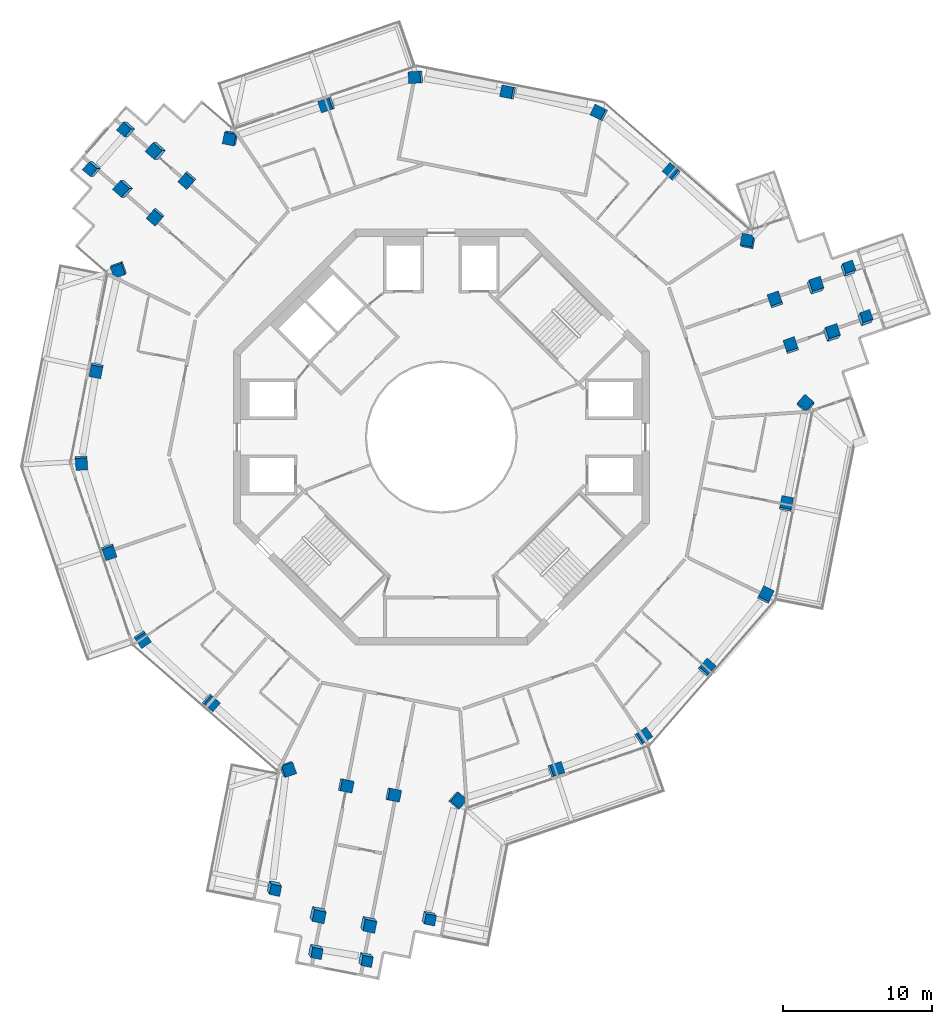
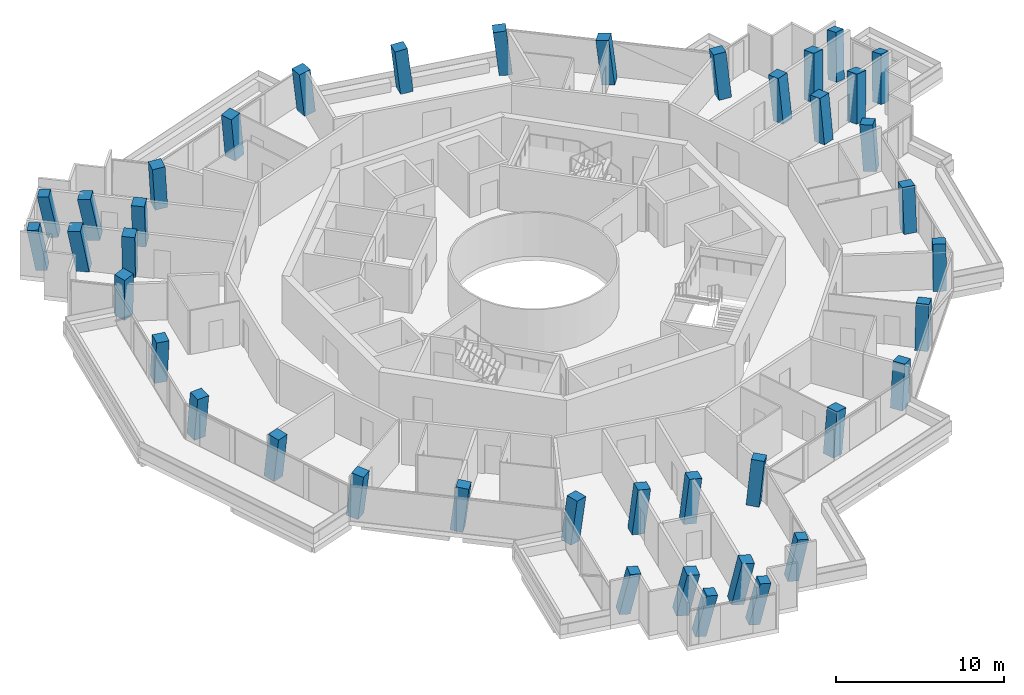
# One storey, part 1 of 22: 41 columns.
"""IFC4 building model written with IfcOpenShell, lengths in metres."""

from ifc_helpers import new_model, si_unit, direction, frame, origin, origin_2d, place, context, subcontext, project, spatial, rectangle, extrude, material, material_profile, profile_set, type_object, element, save


model = new_model("IFC4")

# Units and contexts
model_context = context("Model", 3, precision=1e-05, world=origin(), true_north=direction((0.0, 1.0)))
body_context = subcontext(model_context, "Body", "Model", "MODEL_VIEW")
ifc_project = project(units=[si_unit("LENGTHUNIT", "METRE"), si_unit("AREAUNIT", "SQUARE_METRE"), si_unit("VOLUMEUNIT", "CUBIC_METRE"), si_unit("PLANEANGLEUNIT", "RADIAN"), si_unit("MASSUNIT", "GRAM", prefix="KILO")], contexts=[model_context])

# Site, building, storey
site_placement = place(None, origin())
site = spatial("IfcSite", under=ifc_project, at=site_placement, CompositionType="ELEMENT")
building_placement = place(site_placement, origin())
building = spatial("IfcBuilding", under=site, at=building_placement, Name="Verdalira Terraces Hotel", CompositionType="ELEMENT")
storey_placement = place(building_placement, frame((0.0, 0.0, 234.0)))
storey = spatial("IfcBuildingStorey", under=building, at=storey_placement, Name="L57", CompositionType="ELEMENT", Elevation=234.0)

# Columns
ifc_material_1 = material(Name="Concrete C50", Category="concrete")
ifc_material_profile_1 = material_profile(ifc_material_1, rectangle(XDim=0.699951, YDim=0.699951, at=origin_2d()), Name="RC 700X700")
ifc_profile_set_1 = profile_set([ifc_material_profile_1], Name="Concrete C50")
column_type_1 = type_object("IfcColumnType", Name="Column RC 700X700 C50", PredefinedType="COLUMN", material=ifc_profile_set_1)
for number, where, z_axis, x_axis, name in (
    (1, (-11.303955, -30.260254, 0.0), (0.11572447, -0.196575113, 0.973635492), (-0.214235789, -0.962089509, -0.168780342), "Column C08"),
    (2, (-8.530273, -34.530518, 0.0), (0.135473013, -0.183462353, 0.973647076), (0.972572289, -0.162911918, -0.166020631), "Column C09"),
):
    element("IfcColumn", number, at=place(storey_placement, frame(where, z_axis=z_axis, x_axis=x_axis)), inside=storey, type_object=column_type_1, Name=name, PredefinedType="COLUMN", context=body_context, shape_type="SweptSolid", body=[
        extrude(rectangle(XDim=0.699951, YDim=0.699951, at=origin_2d()), origin(), (0.0, 0.0, 1.0), 3.276367),
    ])
column_1_placement = place(storey_placement, frame((-5.154297, -35.087158, 0.0), z_axis=(0.138267779, -0.168147364, 0.976016642), x_axis=(0.972071067, -0.165649726, -0.16624683)))
element("IfcColumn", 3, at=column_1_placement, inside=storey, type_object=column_type_1, Name="Column C10", PredefinedType="COLUMN", context=body_context, shape_type="SweptSolid", body=[
    extrude(rectangle(XDim=0.699951, YDim=0.699951, at=origin_2d()), origin(), (0.0, 0.0, 1.0), 3.268311),
])
column_2_placement = place(storey_placement, frame((-0.884277, -32.313721, 0.0), z_axis=(0.125809108, -0.149004223, 0.980800596), x_axis=(0.208171474, 0.970609724, 0.120753476)))
element("IfcColumn", 4, at=column_2_placement, inside=storey, type_object=column_type_1, Name="Column C11", PredefinedType="COLUMN", context=body_context, shape_type="SweptSolid", body=[
    extrude(rectangle(XDim=0.699951, YDim=0.699951, at=origin_2d()), origin(), (0.0, 0.0, 1.0), 3.252441),
])
column_3_placement = place(storey_placement, frame((28.494873, 7.928467, 0.0), z_axis=(0.100955278, 0.183500624, 0.977821841), x_axis=(-0.342371197, 0.92922122, -0.139031967)))
element("IfcColumn", 5, at=column_3_placement, inside=storey, type_object=column_type_1, Name="Column C19", PredefinedType="COLUMN", context=body_context, shape_type="SweptSolid", body=[
    extrude(rectangle(XDim=0.699951, YDim=0.699951, at=origin_2d()), origin(), (0.0, 0.0, 1.0), 3.262207),
])
column_4_placement = place(storey_placement, frame((27.351318, 11.257324, 0.0), z_axis=(0.085523619, 0.17847429, 0.980220709), x_axis=(-0.340681391, 0.929762549, -0.139562859)))
element("IfcColumn", 6, at=column_4_placement, inside=storey, type_object=column_type_1, Name="Column C20", PredefinedType="COLUMN", context=body_context, shape_type="SweptSolid", body=[
    extrude(rectangle(XDim=0.699951, YDim=0.699951, at=origin_2d()), origin(), (0.0, 0.0, 1.0), 3.254395),
])
column_5_placement = place(storey_placement, frame((-21.113525, 20.713135, 0.0), z_axis=(-0.209394231, -0.004340552, 0.977821669), x_axis=(-0.633470555, -0.761173449, -0.139032502)))
element("IfcColumn", 7, at=column_5_placement, inside=storey, type_object=column_type_1, Name="Column C28", PredefinedType="COLUMN", context=body_context, shape_type="SweptSolid", body=[
    extrude(rectangle(XDim=0.699951, YDim=0.699951, at=origin_2d()), origin(), (0.0, 0.0, 1.0), 3.262207),
])
column_6_placement = place(storey_placement, frame((-23.424805, 18.058105, 0.0), z_axis=(-0.197305567, -0.015079247, 0.98022606), x_axis=(-0.635208549, -0.75962986, -0.139544167)))
element("IfcColumn", 8, at=column_6_placement, inside=storey, type_object=column_type_1, Name="Column C29", PredefinedType="COLUMN", context=body_context, shape_type="SweptSolid", body=[
    extrude(rectangle(XDim=0.699951, YDim=0.699951, at=origin_2d()), origin(), (0.0, 0.0, 1.0), 3.254395),
])
ifc_material_2 = material(Name="Concrete C50", Category="concrete")
ifc_material_profile_2 = material_profile(ifc_material_2, rectangle(XDim=0.800049, YDim=0.800049, at=origin_2d()), Name="RC 800X800")
ifc_profile_set_2 = profile_set([ifc_material_profile_2], Name="Concrete C50")
column_type_2 = type_object("IfcColumnType", Name="Column RC 800X800 C50", PredefinedType="COLUMN", material=ifc_profile_set_2)
column_7_placement = place(storey_placement, frame((-21.712891, 11.317627, 0.0), z_axis=(-0.052905921, -0.103683443, 0.993202249), x_axis=(-0.330545328, 0.940345776, 0.080558097)))
element("IfcColumn", 9, at=column_7_placement, inside=storey, type_object=column_type_2, Name="Column C01", PredefinedType="COLUMN", context=body_context, shape_type="SweptSolid", body=[
    extrude(rectangle(XDim=0.800049, YDim=0.800049, at=origin_2d()), origin(), (0.0, 0.0, 1.0), 3.21167),
])
column_8_placement = place(storey_placement, frame((-23.220459, 4.530518, 0.0), z_axis=(-0.020609061, -0.110650124, 0.99364572), x_axis=(-0.190224415, -0.975267855, -0.112549024)))
element("IfcColumn", 10, at=column_8_placement, inside=storey, type_object=column_type_2, Name="Column C02", PredefinedType="COLUMN", context=body_context, shape_type="SweptSolid", body=[
    extrude(rectangle(XDim=0.800049, YDim=0.800049, at=origin_2d()), origin(), (0.0, 0.0, 1.0), 3.210449),
])
column_9_placement = place(storey_placement, frame((-24.227783, -1.677246, 0.0), z_axis=(0.008894671, -0.11509856, 0.993314254), x_axis=(-0.068122893, 0.990975997, 0.115437627)))
element("IfcColumn", 11, at=column_9_placement, inside=storey, type_object=column_type_2, Name="Column C03", PredefinedType="COLUMN", context=body_context, shape_type="SweptSolid", body=[
    extrude(rectangle(XDim=0.800049, YDim=0.800049, at=origin_2d()), origin(), (0.0, 0.0, 1.0), 3.211426),
])
column_10_placement = place(storey_placement, frame((-22.374756, -7.686768, 0.0), z_axis=(0.037491609, -0.106162851, 0.9936417), x_axis=(0.322917335, -0.939706935, -0.112584504)))
element("IfcColumn", 12, at=column_10_placement, inside=storey, type_object=column_type_2, Name="Column C04", PredefinedType="COLUMN", context=body_context, shape_type="SweptSolid", body=[
    extrude(rectangle(XDim=0.800049, YDim=0.800049, at=origin_2d()), origin(), (0.0, 0.0, 1.0), 3.210449),
])
column_11_placement = place(storey_placement, frame((-20.143311, -13.566406, 0.0), z_axis=(0.06530323, -0.09525605, 0.993308498), x_axis=(-0.55467947, 0.824010563, 0.115487135)))
element("IfcColumn", 13, at=column_11_placement, inside=storey, type_object=column_type_2, Name="Column C05", PredefinedType="COLUMN", context=body_context, shape_type="SweptSolid", body=[
    extrude(rectangle(XDim=0.800049, YDim=0.800049, at=origin_2d()), origin(), (0.0, 0.0, 1.0), 3.211426),
])
column_12_placement = place(storey_placement, frame((-15.533691, -17.844238, 0.0), z_axis=(0.085478103, -0.073234353, 0.993644918), x_axis=(0.749060992, -0.652869631, -0.112556101)))
element("IfcColumn", 14, at=column_12_placement, inside=storey, type_object=column_type_2, Name="Column C06", PredefinedType="COLUMN", context=body_context, shape_type="SweptSolid", body=[
    extrude(rectangle(XDim=0.800049, YDim=0.800049, at=origin_2d()), origin(), (0.0, 0.0, 1.0), 3.210449),
])
column_13_placement = place(storey_placement, frame((-10.369873, -22.3396, 0.0), z_axis=(0.106638983, -0.048416987, 0.993118282), x_axis=(-0.317375559, 0.944907097, 0.080145701)))
element("IfcColumn", 15, at=column_13_placement, inside=storey, type_object=column_type_2, Name="Column C07", PredefinedType="COLUMN", context=body_context, shape_type="SweptSolid", body=[
    extrude(rectangle(XDim=0.800049, YDim=0.800049, at=origin_2d()), origin(), (0.0, 0.0, 1.0), 3.212158),
])
column_14_placement = place(storey_placement, frame((1.054932, -24.462646, 0.0), z_axis=(0.116301113, 0.005929076, 0.993196303), x_axis=(-0.649719831, -0.755889462, 0.080593198)))
element("IfcColumn", 16, at=column_14_placement, inside=storey, type_object=column_type_2, Name="Column C12", PredefinedType="COLUMN", context=body_context, shape_type="SweptSolid", body=[
    extrude(rectangle(XDim=0.800049, YDim=0.800049, at=origin_2d()), origin(), (0.0, 0.0, 1.0), 3.211914),
])
column_15_placement = place(storey_placement, frame((7.686768, -22.374756, 0.0), z_axis=(0.106162851, 0.037491609, 0.9936417), x_axis=(0.939706935, 0.322917335, -0.112584504)))
element("IfcColumn", 17, at=column_15_placement, inside=storey, type_object=column_type_2, Name="Column C13", PredefinedType="COLUMN", context=body_context, shape_type="SweptSolid", body=[
    extrude(rectangle(XDim=0.800049, YDim=0.800049, at=origin_2d()), origin(), (0.0, 0.0, 1.0), 3.210449),
])
column_16_placement = place(storey_placement, frame((13.566406, -20.143311, 0.0), z_axis=(0.09525605, 0.06530323, 0.993308498), x_axis=(-0.824010563, -0.55467947, 0.115487135)))
element("IfcColumn", 18, at=column_16_placement, inside=storey, type_object=column_type_2, Name="Column C14", PredefinedType="COLUMN", context=body_context, shape_type="SweptSolid", body=[
    extrude(rectangle(XDim=0.800049, YDim=0.800049, at=origin_2d()), origin(), (0.0, 0.0, 1.0), 3.211426),
])
column_17_placement = place(storey_placement, frame((17.844238, -15.533691, 0.0), z_axis=(0.073234353, 0.085478103, 0.993644918), x_axis=(0.652869631, 0.749060992, -0.112556101)))
element("IfcColumn", 19, at=column_17_placement, inside=storey, type_object=column_type_2, Name="Column C15", PredefinedType="COLUMN", context=body_context, shape_type="SweptSolid", body=[
    extrude(rectangle(XDim=0.800049, YDim=0.800049, at=origin_2d()), origin(), (0.0, 0.0, 1.0), 3.210449),
])
column_18_placement = place(storey_placement, frame((21.820557, -10.661621, 0.0), z_axis=(0.049870385, 0.104226063, 0.993302508), x_axis=(-0.436319792, -0.892342905, 0.115538643)))
element("IfcColumn", 20, at=column_18_placement, inside=storey, type_object=column_type_2, Name="Column C16", PredefinedType="COLUMN", context=body_context, shape_type="SweptSolid", body=[
    extrude(rectangle(XDim=0.800049, YDim=0.800049, at=origin_2d()), origin(), (0.0, 0.0, 1.0), 3.211426),
])
column_19_placement = place(storey_placement, frame((23.220459, -4.530518, 0.0), z_axis=(0.020609061, 0.110650124, 0.99364572), x_axis=(0.190224415, 0.975267855, -0.112549024)))
element("IfcColumn", 21, at=column_19_placement, inside=storey, type_object=column_type_2, Name="Column C17", PredefinedType="COLUMN", context=body_context, shape_type="SweptSolid", body=[
    extrude(rectangle(XDim=0.800049, YDim=0.800049, at=origin_2d()), origin(), (0.0, 0.0, 1.0), 3.210449),
])
column_20_placement = place(storey_placement, frame((24.531494, 2.189209, 0.0), z_axis=(-0.011325128, 0.116595611, 0.9931149), x_axis=(-0.660054124, -0.746928427, 0.080165325)))
element("IfcColumn", 22, at=column_20_placement, inside=storey, type_object=column_type_2, Name="Column C18", PredefinedType="COLUMN", context=body_context, shape_type="SweptSolid", body=[
    extrude(rectangle(XDim=0.800049, YDim=0.800049, at=origin_2d()), origin(), (0.0, 0.0, 1.0), 3.212158),
])
column_21_placement = place(storey_placement, frame((20.657715, 13.14502, 0.0), z_axis=(-0.063244127, 0.09767873, 0.993206447), x_axis=(0.979494309, -0.184676163, 0.080533303)))
element("IfcColumn", 23, at=column_21_placement, inside=storey, type_object=column_type_2, Name="Column C21", PredefinedType="COLUMN", context=body_context, shape_type="SweptSolid", body=[
    extrude(rectangle(XDim=0.800049, YDim=0.800049, at=origin_2d()), origin(), (0.0, 0.0, 1.0), 3.21167),
])
column_22_placement = place(storey_placement, frame((15.533691, 17.844238, 0.0), z_axis=(-0.085478103, 0.073234353, 0.993644918), x_axis=(-0.749060992, 0.652869631, -0.112556101)))
element("IfcColumn", 24, at=column_22_placement, inside=storey, type_object=column_type_2, Name="Column C22", PredefinedType="COLUMN", context=body_context, shape_type="SweptSolid", body=[
    extrude(rectangle(XDim=0.800049, YDim=0.800049, at=origin_2d()), origin(), (0.0, 0.0, 1.0), 3.210449),
])
column_23_placement = place(storey_placement, frame((10.661621, 21.820557, 0.0), z_axis=(-0.104226063, 0.049870385, 0.993302508), x_axis=(0.892342905, -0.436319792, 0.115538643)))
element("IfcColumn", 25, at=column_23_placement, inside=storey, type_object=column_type_2, Name="Column C23", PredefinedType="COLUMN", context=body_context, shape_type="SweptSolid", body=[
    extrude(rectangle(XDim=0.800049, YDim=0.800049, at=origin_2d()), origin(), (0.0, 0.0, 1.0), 3.211426),
])
column_24_placement = place(storey_placement, frame((4.530518, 23.220459, 0.0), z_axis=(-0.110650124, 0.020609061, 0.99364572), x_axis=(-0.975267855, 0.190224415, -0.112549024)))
element("IfcColumn", 26, at=column_24_placement, inside=storey, type_object=column_type_2, Name="Column C24", PredefinedType="COLUMN", context=body_context, shape_type="SweptSolid", body=[
    extrude(rectangle(XDim=0.800049, YDim=0.800049, at=origin_2d()), origin(), (0.0, 0.0, 1.0), 3.210449),
])
column_25_placement = place(storey_placement, frame((-1.677246, 24.227783, 0.0), z_axis=(-0.11509856, -0.008894671, 0.993314254), x_axis=(0.990975997, 0.068122893, 0.115437627)))
element("IfcColumn", 27, at=column_25_placement, inside=storey, type_object=column_type_2, Name="Column C25", PredefinedType="COLUMN", context=body_context, shape_type="SweptSolid", body=[
    extrude(rectangle(XDim=0.800049, YDim=0.800049, at=origin_2d()), origin(), (0.0, 0.0, 1.0), 3.211426),
])
column_26_placement = place(storey_placement, frame((-7.686768, 22.374756, 0.0), z_axis=(-0.106162851, -0.037491609, 0.9936417), x_axis=(-0.939706935, -0.322917335, -0.112584504)))
element("IfcColumn", 28, at=column_26_placement, inside=storey, type_object=column_type_2, Name="Column C26", PredefinedType="COLUMN", context=body_context, shape_type="SweptSolid", body=[
    extrude(rectangle(XDim=0.800049, YDim=0.800049, at=origin_2d()), origin(), (0.0, 0.0, 1.0), 3.210449),
])
column_27_placement = place(storey_placement, frame((-14.161621, 20.150391, 0.0), z_axis=(-0.095237688, -0.068178935, 0.99311702), x_axis=(0.977061019, -0.197299919, 0.080153025)))
element("IfcColumn", 29, at=column_27_placement, inside=storey, type_object=column_type_2, Name="Column C27", PredefinedType="COLUMN", context=body_context, shape_type="SweptSolid", body=[
    extrude(rectangle(XDim=0.800049, YDim=0.800049, at=origin_2d()), origin(), (0.0, 0.0, 1.0), 3.212158),
])
for number, where, z_axis, x_axis, name in (
    (30, (-17.077881, 17.327881, 0.0), (-0.081722255, -0.081874297, 0.993286501), (-0.75351111, 0.657388809, -0.007807799), "Column C30"),
    (31, (-19.216064, 14.871582, 0.0), (-0.069940557, -0.091911014, 0.99330795), (-0.754661752, 0.656070382, 0.007569285), "Column C31"),
):
    element("IfcColumn", number, at=place(storey_placement, frame(where, z_axis=z_axis, x_axis=x_axis)), inside=storey, type_object=column_type_2, Name=name, PredefinedType="COLUMN", context=body_context, shape_type="SweptSolid", body=[
        extrude(rectangle(XDim=0.800049, YDim=0.800049, at=origin_2d()), origin(), (0.0, 0.0, 1.0), 3.211426),
    ])
column_28_placement = place(storey_placement, frame((-19.11792, 19.258789, 0.0), z_axis=(-0.202939982, 0.005095982, 0.979177918), x_axis=(-0.731371872, 0.66412248, -0.155037147)))
element("IfcColumn", 32, at=column_28_placement, inside=storey, type_object=column_type_2, Name="Column C32", PredefinedType="COLUMN", context=body_context, shape_type="SweptSolid", body=[
    extrude(rectangle(XDim=0.800049, YDim=0.800049, at=origin_2d()), origin(), (0.0, 0.0, 1.0), 3.257812),
])
column_29_placement = place(storey_placement, frame((-21.333008, 16.7146, 0.0), z_axis=(-0.191329445, -0.005258367, 0.98151179), x_axis=(-0.734676779, 0.663887143, -0.139656334)))
element("IfcColumn", 33, at=column_29_placement, inside=storey, type_object=column_type_2, Name="Column C33", PredefinedType="COLUMN", context=body_context, shape_type="SweptSolid", body=[
    extrude(rectangle(XDim=0.800049, YDim=0.800049, at=origin_2d()), origin(), (0.0, 0.0, 1.0), 3.25),
])
for number, where, z_axis, x_axis, name in (
    (34, (-6.467285, -23.453857, 0.0), (0.111750499, -0.029876154, 0.993287089), (-0.192920289, -0.98118337, -0.007807458), "Column C34"),
    (35, (-3.27124, -24.077393, 0.0), (0.114640624, -0.014672175, 0.993298673), (-0.191247036, -0.981512709, 0.007574512), "Column C35"),
):
    element("IfcColumn", number, at=place(storey_placement, frame(where, z_axis=z_axis, x_axis=x_axis)), inside=storey, type_object=column_type_2, Name=name, PredefinedType="COLUMN", context=body_context, shape_type="SweptSolid", body=[
        extrude(rectangle(XDim=0.800049, YDim=0.800049, at=origin_2d()), origin(), (0.0, 0.0, 1.0), 3.211426),
    ])
column_30_placement = place(storey_placement, frame((-8.367188, -32.055908, 0.0), z_axis=(0.124124134, -0.183088696, 0.975229065), x_axis=(-0.213427106, -0.964751783, -0.153957358)))
element("IfcColumn", 36, at=column_30_placement, inside=storey, type_object=column_type_2, Name="Column C36", PredefinedType="COLUMN", context=body_context, shape_type="SweptSolid", body=[
    extrude(rectangle(XDim=0.800049, YDim=0.800049, at=origin_2d()), origin(), (0.0, 0.0, 1.0), 3.270996),
])
column_31_placement = place(storey_placement, frame((-4.95752, -32.721191, 0.0), z_axis=(0.127418641, -0.167522218, 0.977599507), x_axis=(-0.211245532, -0.967602776, -0.13827579)))
element("IfcColumn", 37, at=column_31_placement, inside=storey, type_object=column_type_2, Name="Column C37", PredefinedType="COLUMN", context=body_context, shape_type="SweptSolid", body=[
    extrude(rectangle(XDim=0.800049, YDim=0.800049, at=origin_2d()), origin(), (0.0, 0.0, 1.0), 3.262939),
])
for number, where, z_axis, x_axis, name in (
    (38, (23.54541, 6.125977, 0.0), (-0.03010401, 0.111749735, 0.993280295), (0.945937447, 0.324255035, -0.007811394), "Column C38"),
    (39, (22.487305, 9.205811, 0.0), (-0.044624846, 0.106582682, 0.993301945), (0.945571817, 0.325325366, 0.007572669), "Column C39"),
):
    element("IfcColumn", number, at=place(storey_placement, frame(where, z_axis=z_axis, x_axis=x_axis)), inside=storey, type_object=column_type_2, Name=name, PredefinedType="COLUMN", context=body_context, shape_type="SweptSolid", body=[
        extrude(rectangle(XDim=0.800049, YDim=0.800049, at=origin_2d()), origin(), (0.0, 0.0, 1.0), 3.211426),
    ])
column_32_placement = place(storey_placement, frame((26.237793, 6.927246, 0.0), z_axis=(0.105817581, 0.173190106, 0.97918733), x_axis=(0.940763553, 0.301559564, -0.155002471)))
element("IfcColumn", 40, at=column_32_placement, inside=storey, type_object=column_type_2, Name="Column C40", PredefinedType="COLUMN", context=body_context, shape_type="SweptSolid", body=[
    extrude(rectangle(XDim=0.800049, YDim=0.800049, at=origin_2d()), origin(), (0.0, 0.0, 1.0), 3.257812),
])
column_33_placement = place(storey_placement, frame((25.141602, 10.117676, 0.0), z_axis=(0.091119646, 0.168342232, 0.981508076), x_axis=(0.942279758, 0.304304263, -0.139670228)))
element("IfcColumn", 41, at=column_33_placement, inside=storey, type_object=column_type_2, Name="Column C41", PredefinedType="COLUMN", context=body_context, shape_type="SweptSolid", body=[
    extrude(rectangle(XDim=0.800049, YDim=0.800049, at=origin_2d()), origin(), (0.0, 0.0, 1.0), 3.25),
])

save(model, "model.ifc")
